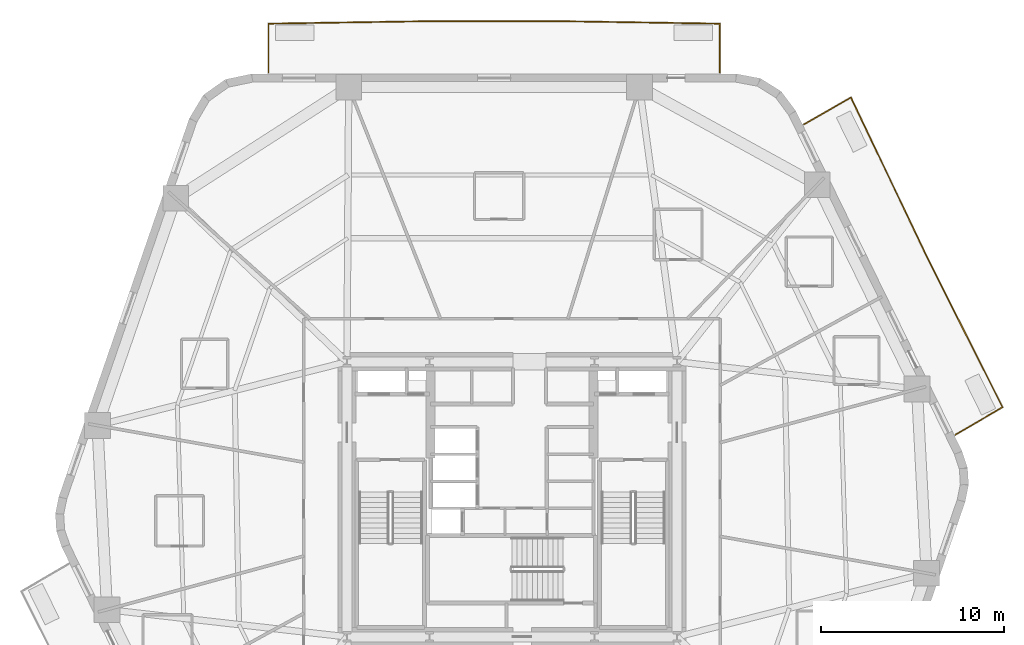
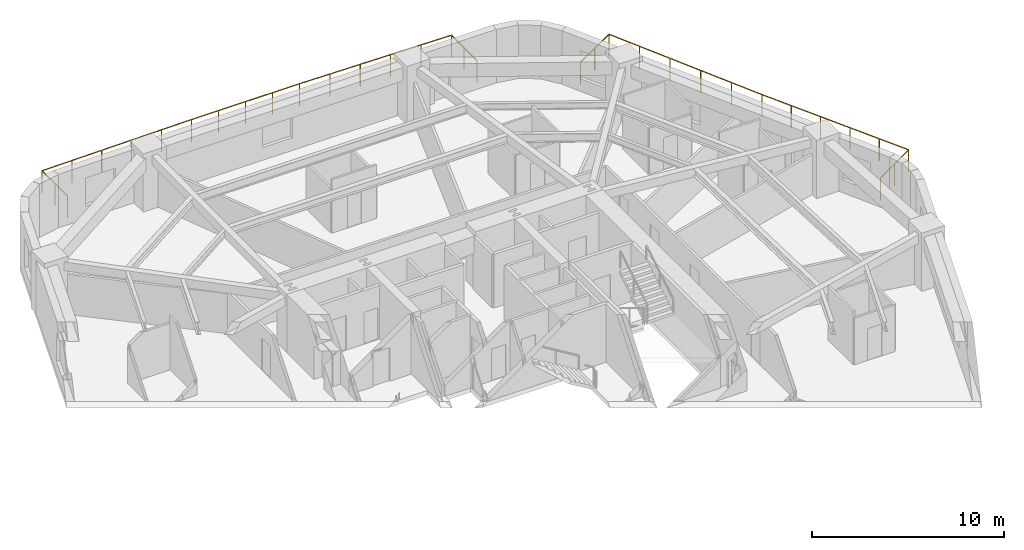
# One storey, part 9 of 9: 2 railings.
"""IFC4 building model written with IfcOpenShell, lengths in metres."""

from ifc_helpers import new_model, si_unit, direction, frame, origin, origin_2d, place, context, subcontext, project, spatial, rectangle, extrude, material, layer, layer_set, type_object, element, save


model = new_model("IFC4")

# Units and contexts
model_context = context("Model", 3, precision=1e-05, world=origin(), true_north=direction((0.0, 1.0)))
body_context = subcontext(model_context, "Body", "Model", "MODEL_VIEW")
ifc_project = project(units=[si_unit("LENGTHUNIT", "METRE"), si_unit("AREAUNIT", "SQUARE_METRE"), si_unit("VOLUMEUNIT", "CUBIC_METRE"), si_unit("PLANEANGLEUNIT", "RADIAN"), si_unit("MASSUNIT", "GRAM", prefix="KILO")], contexts=[model_context])

# Site, building, storey
site_placement = place(None, origin())
site = spatial("IfcSite", under=ifc_project, at=site_placement, CompositionType="ELEMENT")
building_placement = place(site_placement, origin())
building = spatial("IfcBuilding", under=site, at=building_placement, Name="Kilnhurst Terrace Hotel", CompositionType="ELEMENT")
storey_placement = place(building_placement, frame((0.0, 0.0, 60.10009765625)))
storey = spatial("IfcBuildingStorey", under=building, at=storey_placement, Name="L13", CompositionType="ELEMENT", Elevation=60.10009765625)

# Railings
ifc_material = material(Name="Laminated SentryGlas and Stainless Steel AISI 316L Balustrade", Category="steel")
ifc_layer = layer(ifc_material, 0.070068359375, Name="Laminated SentryGlas and Stainless Steel AISI 316L Balustrade")
ifc_layer_set = layer_set([ifc_layer], Name="Laminated SentryGlas and Stainless Steel AISI 316L Balustrade")
railing_type = type_object("IfcRailingType", Name="RLG-BAL-1420", PredefinedType="BALUSTRADE", material=ifc_layer_set)
railing_1_placement = place(storey_placement, frame((15.923095703125, 20.44873046875, 0.0)))
element("IfcRailing", 1, at=railing_1_placement, inside=storey, type_object=railing_type, Name="L13 Exterior Terrace Guardrail BAL-L1A.1", PredefinedType="BALUSTRADE", context=body_context, shape_type="SweptSolid", body=[
    extrude(rectangle(XDim=0.048095703125, YDim=0.048095703125, at=origin_2d()), frame((0.0, 0.0, 1.39599609375), z_axis=(0.86763656582, 0.497198943736, 0.0), x_axis=(-0.497198943736, 0.86763656582, 0.0)), (0.0, 0.0, 1.0), 2.95068359375),
    extrude(rectangle(XDim=0.048095703125, YDim=0.048095703125, at=origin_2d()), frame((2.56005859375, 1.467041015625, 1.39599609375), z_axis=(0.430147205624, -0.902758761516, 0.0), x_axis=(0.902758761516, 0.430147205624, 0.0)), (0.0, 0.0, 1.0), 9.67041015625),
    extrude(rectangle(XDim=0.048095703125, YDim=0.048095703125, at=origin_2d()), frame((6.7197265625, -7.262939453125, 1.39599609375), z_axis=(0.514495755428, -0.857492925713, 0.0), x_axis=(0.857492925713, 0.514495755428, 0.0)), (0.0, 0.0, 1.0), 0.00146484375),
    extrude(rectangle(XDim=0.048095703125, YDim=0.048095703125, at=origin_2d()), frame((6.720458984375, -7.26416015625, 1.39599609375), z_axis=(0.449648824937, -0.89320542667, 0.0), x_axis=(0.89320542667, 0.449648824937, 0.0)), (0.0, 0.0, 1.0), 9.136962890625),
    extrude(rectangle(XDim=0.048095703125, YDim=0.048095703125, at=origin_2d()), frame((10.828857421875, -15.42529296875, 1.39599609375), z_axis=(-0.863737120301, -0.503942642584, 0.0), x_axis=(0.503942642584, -0.863737120301, 0.0)), (0.0, 0.0, 1.0), 2.96728515625),
    extrude(rectangle(XDim=0.0419921875, YDim=0.0419921875, at=origin_2d()), origin(), (0.0, 0.0, 1.0), 1.371826171875),
    extrude(rectangle(XDim=0.0419921875, YDim=0.0419921875, at=origin_2d()), frame((1.280029296875, 0.7333984375, 0.0)), (0.0, 0.0, 1.0), 1.371826171875),
    extrude(rectangle(XDim=0.0419921875, YDim=0.0419921875, at=origin_2d()), frame((2.56005859375, 1.467041015625, 0.0)), (0.0, 0.0, 1.0), 1.371826171875),
    extrude(rectangle(XDim=0.0419921875, YDim=0.0419921875, at=origin_2d()), frame((3.39208984375, -0.279052734375, 0.0)), (0.0, 0.0, 1.0), 1.371826171875),
    extrude(rectangle(XDim=0.0419921875, YDim=0.0419921875, at=origin_2d()), frame((4.223876953125, -2.02490234375, 0.0)), (0.0, 0.0, 1.0), 1.371826171875),
    extrude(rectangle(XDim=0.0419921875, YDim=0.0419921875, at=origin_2d()), frame((5.055908203125, -3.77099609375, 0.0)), (0.0, 0.0, 1.0), 1.371826171875),
    extrude(rectangle(XDim=0.0419921875, YDim=0.0419921875, at=origin_2d()), frame((5.8876953125, -5.516845703125, 0.0)), (0.0, 0.0, 1.0), 1.371826171875),
    extrude(rectangle(XDim=0.0419921875, YDim=0.0419921875, at=origin_2d()), frame((6.7197265625, -7.262939453125, 0.0)), (0.0, 0.0, 1.0), 1.371826171875),
    extrude(rectangle(XDim=0.0419921875, YDim=0.0419921875, at=origin_2d()), frame((6.720458984375, -7.26416015625, 0.0)), (0.0, 0.0, 1.0), 1.371826171875),
    extrude(rectangle(XDim=0.0419921875, YDim=0.0419921875, at=origin_2d()), frame((7.542236328125, -8.896484375, 0.0)), (0.0, 0.0, 1.0), 1.371826171875),
    extrude(rectangle(XDim=0.0419921875, YDim=0.0419921875, at=origin_2d()), frame((8.36376953125, -10.528564453125, 0.0)), (0.0, 0.0, 1.0), 1.371826171875),
    extrude(rectangle(XDim=0.0419921875, YDim=0.0419921875, at=origin_2d()), frame((9.185546875, -12.160888671875, 0.0)), (0.0, 0.0, 1.0), 1.371826171875),
    extrude(rectangle(XDim=0.0419921875, YDim=0.0419921875, at=origin_2d()), frame((10.007080078125, -13.79296875, 0.0)), (0.0, 0.0, 1.0), 1.371826171875),
    extrude(rectangle(XDim=0.0419921875, YDim=0.0419921875, at=origin_2d()), frame((10.828857421875, -15.42529296875, 0.0)), (0.0, 0.0, 1.0), 1.371826171875),
    extrude(rectangle(XDim=0.0419921875, YDim=0.0419921875, at=origin_2d()), frame((9.54736328125, -16.1728515625, 0.0)), (0.0, 0.0, 1.0), 1.371826171875),
    extrude(rectangle(XDim=0.0419921875, YDim=0.0419921875, at=origin_2d()), frame((8.265869140625, -16.920654296875, 0.0)), (0.0, 0.0, 1.0), 1.371826171875),
])
railing_2_placement = place(storey_placement, frame((-13.281494140625, 23.280029296875, 0.0)))
element("IfcRailing", 2, at=railing_2_placement, inside=storey, type_object=railing_type, Name="L13 Exterior Terrace Guardrail BAL-L1B.1", PredefinedType="BALUSTRADE", context=body_context, shape_type="SweptSolid", body=[
    extrude(rectangle(XDim=0.048095703125, YDim=0.048095703125, at=origin_2d()), frame((0.0, 0.0, 1.39599609375), z_axis=(0.0, 1.0, 0.0), x_axis=(-1.0, 0.0, 0.0)), (0.0, 0.0, 1.0), 2.660888671875),
    extrude(rectangle(XDim=0.048095703125, YDim=0.048095703125, at=origin_2d()), frame((0.0, 2.660888671875, 1.39599609375), z_axis=(0.999881869157, 0.015370352358, 0.0), x_axis=(-0.015370352358, 0.999881869157, 0.0)), (0.0, 0.0, 1.0), 9.0537109375),
    extrude(rectangle(XDim=0.048095703125, YDim=0.048095703125, at=origin_2d()), frame((9.052734375, 2.800048828125, 1.39599609375), z_axis=(1.0, 0.0, 0.0), x_axis=(0.0, 1.0, 0.0)), (0.0, 0.0, 1.0), 6.508056640625),
    extrude(rectangle(XDim=0.048095703125, YDim=0.048095703125, at=origin_2d()), frame((15.560791015625, 2.800048828125, 1.39599609375), z_axis=(0.999881869157, -0.015370352358, 0.0), x_axis=(0.015370352358, 0.999881869157, 0.0)), (0.0, 0.0, 1.0), 9.0537109375),
    extrude(rectangle(XDim=0.048095703125, YDim=0.048095703125, at=origin_2d()), frame((24.613525390625, 2.660888671875, 1.39599609375), z_axis=(0.0, -1.0, 0.0), x_axis=(1.0, 0.0, 0.0)), (0.0, 0.0, 1.0), 2.660888671875),
    extrude(rectangle(XDim=0.0419921875, YDim=0.0419921875, at=origin_2d()), origin(), (0.0, 0.0, 1.0), 1.371826171875),
    extrude(rectangle(XDim=0.0419921875, YDim=0.0419921875, at=origin_2d()), frame((0.0, 1.33056640625, 0.0)), (0.0, 0.0, 1.0), 1.371826171875),
    extrude(rectangle(XDim=0.0419921875, YDim=0.0419921875, at=origin_2d()), frame((0.0, 2.660888671875, 0.0)), (0.0, 0.0, 1.0), 1.371826171875),
    extrude(rectangle(XDim=0.0419921875, YDim=0.0419921875, at=origin_2d()), frame((1.810546875, 2.688720703125, 0.0)), (0.0, 0.0, 1.0), 1.371826171875),
    extrude(rectangle(XDim=0.0419921875, YDim=0.0419921875, at=origin_2d()), frame((3.62109375, 2.716552734375, 0.0)), (0.0, 0.0, 1.0), 1.371826171875),
    extrude(rectangle(XDim=0.0419921875, YDim=0.0419921875, at=origin_2d()), frame((5.431640625, 2.744384765625, 0.0)), (0.0, 0.0, 1.0), 1.371826171875),
    extrude(rectangle(XDim=0.0419921875, YDim=0.0419921875, at=origin_2d()), frame((7.2421875, 2.772216796875, 0.0)), (0.0, 0.0, 1.0), 1.371826171875),
    extrude(rectangle(XDim=0.0419921875, YDim=0.0419921875, at=origin_2d()), frame((9.052734375, 2.800048828125, 0.0)), (0.0, 0.0, 1.0), 1.371826171875),
    extrude(rectangle(XDim=0.0419921875, YDim=0.0419921875, at=origin_2d()), frame((10.6796875, 2.800048828125, 0.0)), (0.0, 0.0, 1.0), 1.371826171875),
    extrude(rectangle(XDim=0.0419921875, YDim=0.0419921875, at=origin_2d()), frame((12.306640625, 2.800048828125, 0.0)), (0.0, 0.0, 1.0), 1.371826171875),
    extrude(rectangle(XDim=0.0419921875, YDim=0.0419921875, at=origin_2d()), frame((13.933837890625, 2.800048828125, 0.0)), (0.0, 0.0, 1.0), 1.371826171875),
    extrude(rectangle(XDim=0.0419921875, YDim=0.0419921875, at=origin_2d()), frame((15.560791015625, 2.800048828125, 0.0)), (0.0, 0.0, 1.0), 1.371826171875),
    extrude(rectangle(XDim=0.0419921875, YDim=0.0419921875, at=origin_2d()), frame((17.371337890625, 2.772216796875, 0.0)), (0.0, 0.0, 1.0), 1.371826171875),
    extrude(rectangle(XDim=0.0419921875, YDim=0.0419921875, at=origin_2d()), frame((19.181884765625, 2.744384765625, 0.0)), (0.0, 0.0, 1.0), 1.371826171875),
    extrude(rectangle(XDim=0.0419921875, YDim=0.0419921875, at=origin_2d()), frame((20.992431640625, 2.716552734375, 0.0)), (0.0, 0.0, 1.0), 1.371826171875),
    extrude(rectangle(XDim=0.0419921875, YDim=0.0419921875, at=origin_2d()), frame((22.802978515625, 2.688720703125, 0.0)), (0.0, 0.0, 1.0), 1.371826171875),
    extrude(rectangle(XDim=0.0419921875, YDim=0.0419921875, at=origin_2d()), frame((24.613525390625, 2.660888671875, 0.0)), (0.0, 0.0, 1.0), 1.371826171875),
    extrude(rectangle(XDim=0.0419921875, YDim=0.0419921875, at=origin_2d()), frame((24.613525390625, 1.33056640625, 0.0)), (0.0, 0.0, 1.0), 1.371826171875),
    extrude(rectangle(XDim=0.0419921875, YDim=0.0419921875, at=origin_2d()), frame((24.613525390625, 0.0, 0.0)), (0.0, 0.0, 1.0), 1.371826171875),
])

save(model, "model.ifc")
